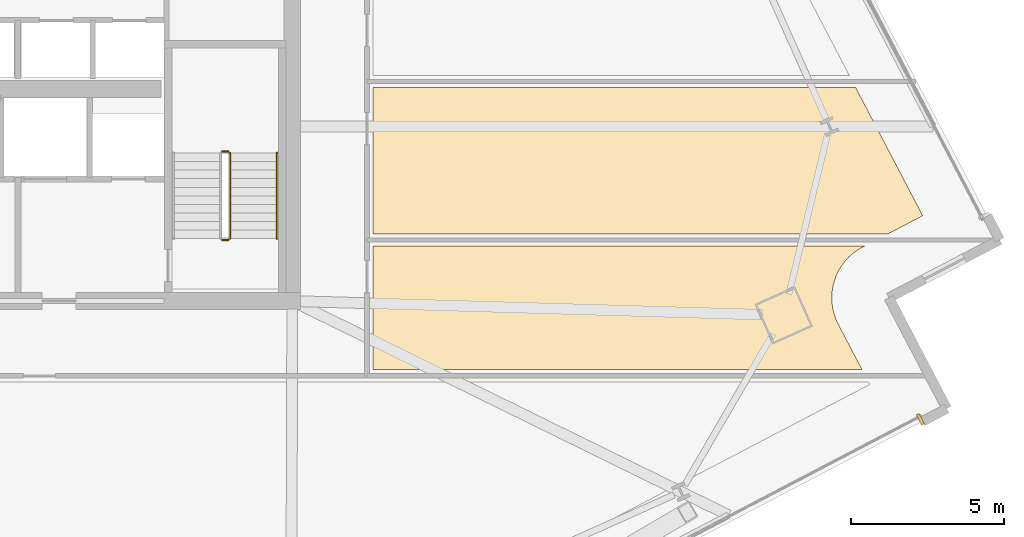
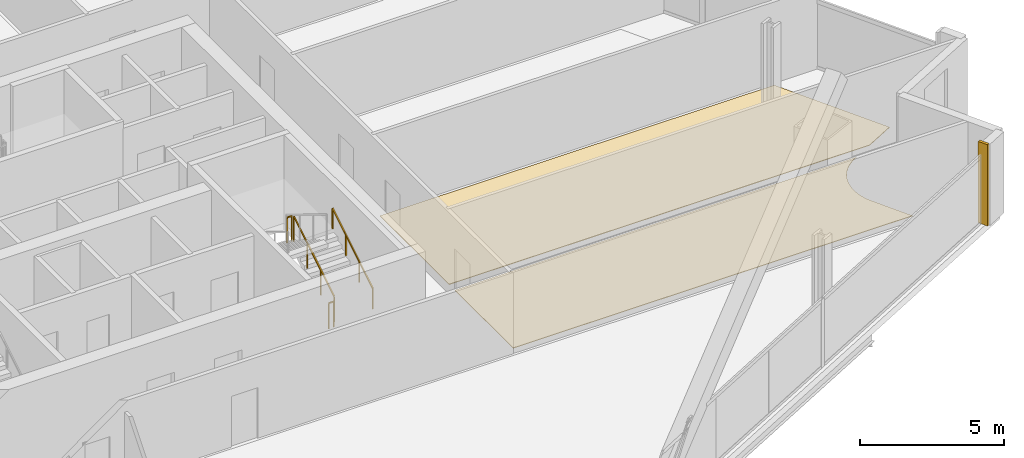
# One storey, part 31 of 33: 4 railings, 3 coverings.
"""IFC4 building model written with IfcOpenShell, lengths in metres."""

from ifc_helpers import new_model, si_unit, direction, frame, origin, origin_2d, place, context, subcontext, project, spatial, polyline, rectangle, outline, extrude, source, transform, mapped, material, layer, layer_set, type_object, element, save


model = new_model("IFC4")

# Units and contexts
model_context = context("Model", 3, precision=1e-05, world=origin(), true_north=direction((0.0, 1.0)))
body_context = subcontext(model_context, "Body", "Model", "MODEL_VIEW")
ifc_project = project(units=[si_unit("LENGTHUNIT", "METRE"), si_unit("AREAUNIT", "SQUARE_METRE"), si_unit("VOLUMEUNIT", "CUBIC_METRE"), si_unit("PLANEANGLEUNIT", "RADIAN"), si_unit("MASSUNIT", "GRAM", prefix="KILO")], contexts=[model_context])

# Site, building, storey
site_placement = place(None, origin())
site = spatial("IfcSite", under=ifc_project, at=site_placement, CompositionType="ELEMENT")
building_placement = place(site_placement, origin())
building = spatial("IfcBuilding", under=site, at=building_placement, Name="Haldenkirk Collegiate Tower", CompositionType="ELEMENT")
storey_placement = place(building_placement, frame((0.0, 0.0, 120.449951171875)))
storey = spatial("IfcBuildingStorey", under=building, at=storey_placement, Name="L29", CompositionType="ELEMENT", Elevation=120.449951171875)

# Coverings
ifc_material_1 = material(Name="Polished collegiate terrazzo", Category="concrete")
ifc_layer_1 = layer(ifc_material_1, 0.02490234375)
ifc_layer_set_1 = layer_set([ifc_layer_1], Name="Polished collegiate terrazzo")
covering_type_1 = type_object("IfcCoveringType", Name="COV-FLOOR-TERRAZZO", PredefinedType="FLOORING", material=ifc_layer_set_1)
covering_1_placement = place(storey_placement, origin())
element("IfcCovering", 1, at=covering_1_placement, inside=storey, type_object=covering_type_1, Name="L29 academic room finish 08", PredefinedType="FLOORING", context=body_context, shape_type="SweptSolid", body=[
    extrude(outline(polyline([(64.52392578125, 20.199951171875), (47.64990234375, 20.199951171875), (47.64990234375, 25.0), (63.46923828125, 25.0), (65.66650390625, 20.797119140625), (64.52392578125, 20.199951171875)])), origin(), (0.0, 0.0, 1.0), 0.025146484375),
])
ifc_material_2 = material(Name="Engineered collegiate oak acoustic flooring", Category="wood")
ifc_layer_2 = layer(ifc_material_2, 0.02197265625)
ifc_layer_set_2 = layer_set([ifc_layer_2], Name="Engineered collegiate oak acoustic flooring")
covering_type_2 = type_object("IfcCoveringType", Name="COV-FLOOR-TIMBER", PredefinedType="FLOORING", material=ifc_layer_set_2)
covering_2_placement = place(storey_placement, origin())
element("IfcCovering", 2, at=covering_2_placement, inside=storey, type_object=covering_type_2, Name="L29 academic room finish 07", PredefinedType="FLOORING", context=body_context, shape_type="SweptSolid", body=[
    extrude(outline(polyline([(63.690185546875, 19.76416015625), (63.684814453125, 19.76123046875), (63.536865234375, 19.67431640625), (63.527099609375, 19.667724609375), (63.38818359375, 19.56689453125), (63.37890625, 19.559326171875), (63.250732421875, 19.4453125), (63.2421875, 19.43701171875), (63.125732421875, 19.310791015625), (63.118408203125, 19.3017578125), (63.0146484375, 19.164794921875), (63.008056640625, 19.155029296875), (62.91845703125, 19.008544921875), (62.912841796875, 18.998291015625), (62.837890625, 18.84375), (62.833251953125, 18.832763671875), (62.77392578125, 18.671630859375), (62.7705078125, 18.660400390625), (62.727294921875, 18.494384765625), (62.724853515625, 18.482666015625), (62.697998046875, 18.31298828125), (62.69677734375, 18.301513671875), (62.686767578125, 18.1298828125), (62.686767578125, 18.1181640625), (62.693603515625, 17.946533203125), (62.694580078125, 17.934814453125), (62.71826171875, 17.7646484375), (62.720458984375, 17.753173828125), (62.760498046875, 17.586181640625), (62.763916015625, 17.574951171875), (62.8203125, 17.41259765625), (62.82470703125, 17.401611328125), (62.896728515625, 17.245849609375), (62.8994140625, 17.240478515625), (63.678466796875, 15.75), (47.64990234375, 15.75), (47.64990234375, 19.800048828125), (63.7587890625, 19.800048828125), (63.690185546875, 19.76416015625)])), origin(), (0.0, 0.0, 1.0), 0.02197265625),
])

# Railings
ifc_material_3 = material(Name="Painted architectural tubular steel", Category="steel")
railing_type_1 = type_object("IfcRailingType", Name="RLG-STAIR-GUARD-1100", PredefinedType="BALUSTRADE", material=ifc_material_3)
railing_1_placement = place(storey_placement, frame((42.949951171875, 20.050048828125, 0.17041015625)))
element("IfcRailing", 3, at=railing_1_placement, inside=storey, type_object=railing_type_1, Name="L29 ST-2 stair guard 1", PredefinedType="BALUSTRADE", context=body_context, shape_type="SweptSolid", body=[
    extrude(rectangle(XDim=0.048095703125, YDim=0.048095703125, at=origin_2d()), frame((0.0, 0.0, 1.076171875), z_axis=(0.0, 0.854169791009, 0.51999420009), x_axis=(-1.0, 0.0, 0.0)), (0.0, 0.0, 1.0), 3.278076171875),
    extrude(rectangle(XDim=0.0419921875, YDim=0.0419921875, at=origin_2d()), origin(), (0.0, 0.0, 1.0), 1.052001953125),
    extrude(rectangle(XDim=0.0419921875, YDim=0.0419921875, at=origin_2d()), frame((0.0, 0.933349609375, 0.568115234375)), (0.0, 0.0, 1.0), 1.052001953125),
    extrude(rectangle(XDim=0.0419921875, YDim=0.0419921875, at=origin_2d()), frame((0.0, 1.86669921875, 1.136474609375)), (0.0, 0.0, 1.0), 1.052001953125),
    extrude(rectangle(XDim=0.0419921875, YDim=0.0419921875, at=origin_2d()), frame((0.0, 2.800048828125, 1.70458984375)), (0.0, 0.0, 1.0), 1.052001953125),
])
for number, where, name in (
    (4, (42.89990234375, 22.89990234375, 1.875), "L29 ST-2 stair guard 2"),
    (5, (42.89990234375, 20.0, 0.0), "L29 ST-2 stair guard 4"),
):
    element("IfcRailing", number, at=place(storey_placement, frame(where)), inside=storey, type_object=railing_type_1, Name=name, PredefinedType="BALUSTRADE", context=body_context, shape_type="SweptSolid", body=[
        extrude(rectangle(XDim=0.048095703125, YDim=0.048095703125, at=origin_2d()), frame((0.0, 0.0, 1.076171875), z_axis=(-1.0, 0.0, 0.0), x_axis=(0.0, -1.0, 0.0)), (0.0, 0.0, 1.0), 0.199951171875),
        extrude(rectangle(XDim=0.0419921875, YDim=0.0419921875, at=origin_2d()), origin(), (0.0, 0.0, 1.0), 1.052001953125),
        extrude(rectangle(XDim=0.0419921875, YDim=0.0419921875, at=origin_2d()), frame((-0.199951171875, 0.0, 0.0)), (0.0, 0.0, 1.0), 1.052001953125),
    ])
railing_type_2 = type_object("IfcRailingType", Name="RLG-STAIR-HANDRAIL-900", PredefinedType="HANDRAIL", material=ifc_material_3)
railing_2_placement = place(storey_placement, frame((44.5, 20.050048828125, 0.17041015625)))
element("IfcRailing", 6, at=railing_2_placement, inside=storey, type_object=railing_type_2, Name="L29 ST-2 stair handrail 1", PredefinedType="HANDRAIL", context=body_context, shape_type="SweptSolid", body=[
    extrude(rectangle(XDim=0.048095703125, YDim=0.048095703125, at=origin_2d()), frame((0.0, 0.0, 0.8759765625), z_axis=(0.0, 0.854169791009, 0.51999420009), x_axis=(-1.0, 0.0, 0.0)), (0.0, 0.0, 1.0), 3.278076171875),
    extrude(rectangle(XDim=0.0419921875, YDim=0.0419921875, at=origin_2d()), origin(), (0.0, 0.0, 1.0), 0.851806640625),
    extrude(rectangle(XDim=0.0419921875, YDim=0.0419921875, at=origin_2d()), frame((0.0, 0.933349609375, 0.568115234375)), (0.0, 0.0, 1.0), 0.851806640625),
    extrude(rectangle(XDim=0.0419921875, YDim=0.0419921875, at=origin_2d()), frame((0.0, 1.86669921875, 1.136474609375)), (0.0, 0.0, 1.0), 0.851806640625),
    extrude(rectangle(XDim=0.0419921875, YDim=0.0419921875, at=origin_2d()), frame((0.0, 2.800048828125, 1.70458984375)), (0.0, 0.0, 1.0), 0.851806640625),
])

# Covering
ifc_material_4 = material(Name="Anodised architectural bronze aluminium", Category="aluminium")
ifc_layer_3 = layer(ifc_material_4, 0.06005859375)
ifc_layer_set_3 = layer_set([ifc_layer_3], Name="Anodised architectural bronze aluminium")
covering_type_3 = type_object("IfcCoveringType", Name="COV-CLAD-BRONZE-60", PredefinedType="CLADDING", material=ifc_layer_set_3)
shared_shape = source(origin(), body_context, "Body", "SweptSolid", [
    extrude(rectangle(XDim=0.10009765625, YDim=0.3798828125, at=origin_2d()), origin(), (0.0, 0.0, 1.0), 3.449951171875),
])
covering_3_placement = place(storey_placement, frame((65.590087890625, 14.122314453125, 0.0), z_axis=(0.0, 0.0, 1.0), x_axis=(-0.886203579231, -0.46329603512, 0.0)))
element("IfcCovering", 7, at=covering_3_placement, inside=storey, type_object=covering_type_3, Name="L29 recessed curtain-wall bronze jamb closure SJL", PredefinedType="CLADDING", context=body_context, shape_type="MappedRepresentation", body=[
    mapped(shared_shape, transform((0.0, 0.0, 0.0), x_axis=(1.0, 0.0, 0.0), y_axis=(0.0, 1.0, 0.0), z_axis=(0.0, 0.0, 1.0), scale=1.0)),
])

save(model, "model.ifc")
